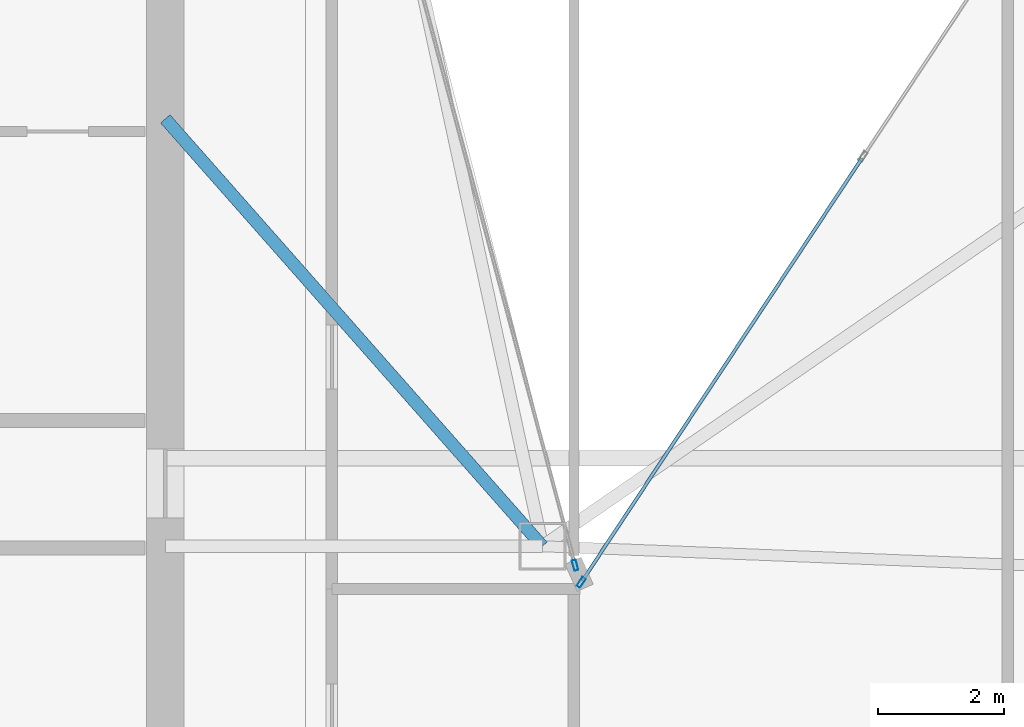
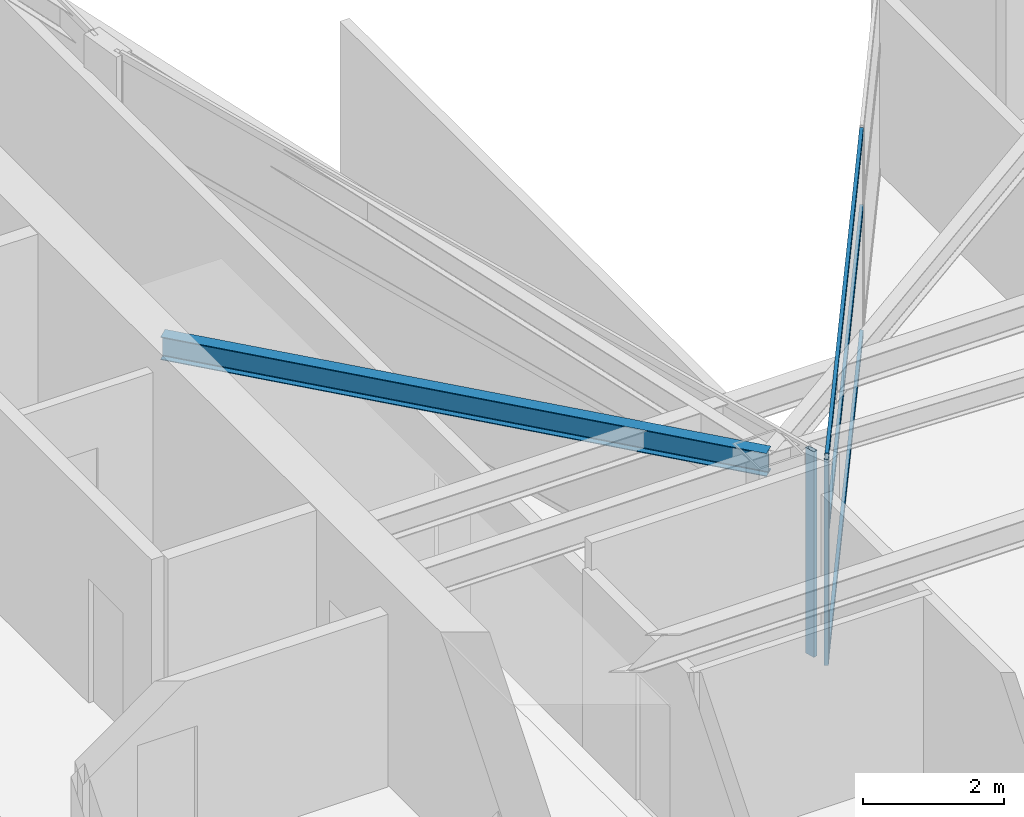
# One storey, part 11 of 28: 5 members, 1 beam, 2 elements without a shape of their own.
"""IFC4 building model written with IfcOpenShell, lengths in metres."""

import ifcopenshell
import ifcopenshell.guid

model = None  # the IFC model being written
_history = None  # IfcOwnerHistory: only IFC2X3 demands one
_inside = {}  # id of a spatial element -> (the spatial element, [elements in it])
_under = {}  # id of a project, library or spatial element -> (it, [spatial elements below it])
_declared = {}  # id of a project -> (the project, [libraries it declares])
_typed = {}  # id of a type object -> (the type object, [elements of that type])
_made_of = {}  # id of a material, layer set ... -> (it, [elements and type objects made of it])


def new_model(schema):
    """Start an empty IFC model of exactly this schema.

    Asked for "IFC4X3", IfcOpenShell would pick the latest addendum, in which some entities
    have other attributes; the version numbers below select the first issue.
    IFC2X3 requires an IfcOwnerHistory on every rooted entity: one is made here for all.
    """
    global model, _history
    if schema == "IFC4X3":
        model = ifcopenshell.file(schema_version=(4, 3, 0, 0))
    else:
        model = ifcopenshell.file(schema=schema)
    _inside.clear()
    _under.clear()
    _declared.clear()
    _typed.clear()
    _made_of.clear()
    _history = None
    if model.schema == "IFC2X3":
        org = make("IfcOrganization", Name="unknown")
        user = make(
            "IfcPersonAndOrganization",
            ThePerson=make("IfcPerson", FamilyName="unknown"),
            TheOrganization=org,
        )
        app = make(
            "IfcApplication",
            ApplicationDeveloper=org,
            Version="unknown",
            ApplicationFullName="unknown",
            ApplicationIdentifier="unknown",
        )
        _history = make(
            "IfcOwnerHistory",
            OwningUser=user,
            OwningApplication=app,
            ChangeAction="ADDED",
            CreationDate=0,
        )
    return model


def make(cls, **values):
    """One entity of the class cls with the attributes given. An attribute that is None is left unset."""
    return model.create_entity(
        cls, **{name: value for name, value in values.items() if value is not None}
    )


def rooted(cls, **values):
    """An entity with a GlobalId (a new one), such as an element, a storey or a relation."""
    return make(cls, GlobalId=ifcopenshell.guid.new(), OwnerHistory=_history, **values)


def si_unit(unit_type, name, prefix=None):
    """IfcSIUnit, for example si_unit("LENGTHUNIT", "METRE", prefix="MILLI")."""
    return make("IfcSIUnit", UnitType=unit_type, Prefix=prefix, Name=name)


def assignment(units):
    """IfcUnitAssignment: the units of a project."""
    return None if units is None else make("IfcUnitAssignment", Units=units)


def point(xyz):
    """IfcCartesianPoint."""
    return None if xyz is None else make("IfcCartesianPoint", Coordinates=xyz)


def direction(xyz):
    """IfcDirection."""
    return None if xyz is None else make("IfcDirection", DirectionRatios=xyz)


def frame(location, z_axis=None, x_axis=None):
    """IfcAxis2Placement3D, a coordinate frame: its origin and axes. An axis left out is left unset."""
    return make(
        "IfcAxis2Placement3D",
        Location=point(location),
        Axis=direction(z_axis),
        RefDirection=direction(x_axis),
    )


def frame_2d(location, x_axis=None):
    """IfcAxis2Placement2D, a coordinate frame in the plane: its origin and x axis."""
    return make(
        "IfcAxis2Placement2D", Location=point(location), RefDirection=direction(x_axis)
    )


def origin():
    """The frame at (0, 0, 0) with its axes left unset."""
    return frame((0.0, 0.0, 0.0))


def origin_2d():
    """The frame at (0, 0) in the plane with its x axis left unset."""
    return frame_2d((0.0, 0.0))


def place(relative_to, where):
    """IfcLocalPlacement: puts the frame where relative to a parent placement (None: the world)."""
    return make(
        "IfcLocalPlacement", PlacementRelTo=relative_to, RelativePlacement=where
    )


def context(
    kind, dimensions, precision=None, world=None, true_north=None, identifier=None
):
    """IfcGeometricRepresentationContext, for example the 3D "Model" context."""
    return make(
        "IfcGeometricRepresentationContext",
        ContextIdentifier=identifier,
        ContextType=kind,
        CoordinateSpaceDimension=dimensions,
        Precision=precision,
        WorldCoordinateSystem=world,
        TrueNorth=true_north,
    )


def subcontext(parent, identifier, kind, view, scale=None):
    """IfcGeometricRepresentationSubContext, for example "Body" below "Model"."""
    return make(
        "IfcGeometricRepresentationSubContext",
        ContextIdentifier=identifier,
        ContextType=kind,
        ParentContext=parent,
        TargetScale=scale,
        TargetView=view,
    )


def project(units=None, contexts=None):
    """IfcProject with its units and contexts."""
    return rooted(
        "IfcProject",
        Name="project",
        RepresentationContexts=contexts,
        UnitsInContext=assignment(units),
    )


def spatial(cls, under=None, at=None, **own):
    """A site, building, storey or space (cls), placed at a placement, below another one or the project."""
    s = rooted(cls, ObjectPlacement=at, **own)
    if under is not None:
        _under.setdefault(under.id(), (under, []))[1].append(s)
    return s


def profile(cls, at=None, kind="AREA", **sizes):
    """A parametric profile (cls). Its sizes go by their IFC names, for example OverallWidth=200.0."""
    return make(cls, ProfileType=kind, Position=at, **sizes)


def hollow_rectangle(**sizes):
    """IfcRectangleHollowProfileDef."""
    return profile("IfcRectangleHollowProfileDef", **sizes)


def i_section(**sizes):
    """IfcIShapeProfileDef."""
    return profile("IfcIShapeProfileDef", **sizes)


def extrude(swept, where, along, depth):
    """IfcExtrudedAreaSolid: the profile swept, set in the frame where, extruded along a direction by depth."""
    return make(
        "IfcExtrudedAreaSolid",
        SweptArea=swept,
        Position=where,
        ExtrudedDirection=direction(along),
        Depth=depth,
    )


def shape(context_of_items, identifier, shape_type, items):
    """IfcShapeRepresentation: the items that make up one representation, for example the "Body"."""
    return make(
        "IfcShapeRepresentation",
        ContextOfItems=context_of_items,
        RepresentationIdentifier=identifier,
        RepresentationType=shape_type,
        Items=items,
    )


def material(Name=None, Category=None):
    """IfcMaterial."""
    return make("IfcMaterial", Name=Name, Category=Category)


def layer(
    of_material, thickness, ventilated=None, Name=None, Category=None, Priority=None
):
    """IfcMaterialLayer: one layer of a wall or slab, of a material (None: an air gap)."""
    return make(
        "IfcMaterialLayer",
        Material=of_material,
        LayerThickness=thickness,
        IsVentilated=ventilated,
        Name=Name,
        Category=Category,
        Priority=Priority,
    )


def layer_set(layers, Name=None):
    """IfcMaterialLayerSet."""
    return make("IfcMaterialLayerSet", MaterialLayers=layers, LayerSetName=Name)


def material_profile(
    of_material, cross_section, Name=None, Category=None, Priority=None
):
    """IfcMaterialProfile: a cross section and its material."""
    return make(
        "IfcMaterialProfile",
        Name=Name,
        Material=of_material,
        Profile=cross_section,
        Priority=Priority,
        Category=Category,
    )


def profile_set(profiles, Name=None, composite=None):
    """IfcMaterialProfileSet."""
    return make(
        "IfcMaterialProfileSet",
        Name=Name,
        MaterialProfiles=profiles,
        CompositeProfile=composite,
    )


def made_of(thing, what):
    """Note that an element or type object is made of a material, layer set ...; save() writes the relation."""
    if what is not None:
        _made_of.setdefault(what.id(), (what, []))[1].append(thing)
    return thing


def type_object(cls, material=None, **own):
    """A type object (cls), such as IfcWallType, which elements share."""
    return made_of(rooted(cls, **own), material)


def element(
    cls,
    number,
    at=None,
    inside=None,
    cuts=None,
    type_object=None,
    material=None,
    context=None,
    identifier="Body",
    shape_type=None,
    held_by="IfcProductDefinitionShape",
    body=None,
    shapes=None,
    **own,
):
    """One element of the class cls, such as IfcWall. Its Tag is "e" and its number.

    at: its placement. inside: the storey or other place that contains it. cuts: it is an
    opening in that element (IfcRelVoidsElement). A single representation is given by context,
    identifier, shape_type and body (its items); several are given by shapes. held_by: the class
    of the entity that holds the representations. save() writes the other relations.
    """
    e = rooted(cls, Tag="e%d" % number, ObjectPlacement=at, **own)
    if body is not None:
        shapes = [shape(context, identifier, shape_type, body)]
    if shapes is not None:
        e.Representation = make(held_by, Representations=shapes)
    if inside is not None:
        _inside.setdefault(inside.id(), (inside, []))[1].append(e)
    if cuts is not None:
        rooted(
            "IfcRelVoidsElement", RelatingBuildingElement=cuts, RelatedOpeningElement=e
        )
    if type_object is not None:
        _typed.setdefault(type_object.id(), (type_object, []))[1].append(e)
    return made_of(e, material)


def aggregate(whole, parts):
    """IfcRelAggregates: a whole, such as a stair, and the parts it consists of."""
    return rooted("IfcRelAggregates", RelatingObject=whole, RelatedObjects=parts)


def save(model, path):
    """Write the relations noted so far, then the file.

    IfcRelAggregates (storeys below a building ...), IfcRelContainedInSpatialStructure (elements
    in a storey), IfcRelDefinesByType, IfcRelAssociatesMaterial and IfcRelDeclares: one each for
    every whole, place, type object, material and project.
    """
    for whole, parts in _under.values():
        aggregate(whole, parts)
    for where, things in _inside.values():
        rooted(
            "IfcRelContainedInSpatialStructure",
            RelatedElements=things,
            RelatingStructure=where,
        )
    for kind, things in _typed.values():
        rooted("IfcRelDefinesByType", RelatedObjects=things, RelatingType=kind)
    for what, things in _made_of.values():
        rooted("IfcRelAssociatesMaterial", RelatedObjects=things, RelatingMaterial=what)
    for by, libraries in _declared.values():
        rooted("IfcRelDeclares", RelatingContext=by, RelatedDefinitions=libraries)
    model.write(path)


model = new_model("IFC4")

# Units and contexts
model_context = context("Model", 3, precision=1e-05, world=origin(), true_north=direction((0.0, 1.0)))
body_context = subcontext(model_context, "Body", "Model", "MODEL_VIEW")
ifc_project = project(units=[si_unit("LENGTHUNIT", "METRE"), si_unit("AREAUNIT", "SQUARE_METRE"), si_unit("VOLUMEUNIT", "CUBIC_METRE"), si_unit("PLANEANGLEUNIT", "RADIAN"), si_unit("MASSUNIT", "GRAM", prefix="KILO")], contexts=[model_context])

# Site, building, storey
site_placement = place(None, origin())
site = spatial("IfcSite", under=ifc_project, at=site_placement, CompositionType="ELEMENT")
building_placement = place(site_placement, origin())
building = spatial("IfcBuilding", under=site, at=building_placement, Name="Calvorn Quay Hotel", CompositionType="ELEMENT")
storey_placement = place(building_placement, frame((0.0, 0.0, 274.89990234375)))
storey = spatial("IfcBuildingStorey", under=building, at=storey_placement, Name="L68", CompositionType="ELEMENT", Elevation=274.89990234375)

# Beam
ifc_material_1 = material(Name="Steel Q355B", Category="steel")
ifc_material_profile_1 = material_profile(ifc_material_1, i_section(OverallWidth=0.199951171875, OverallDepth=0.39990234375, WebThickness=0.008056640625, FlangeThickness=0.012939453125, FilletRadius=0.01611328125, at=origin_2d()), Name="HN400x200x8x13")
ifc_profile_set_1 = profile_set([ifc_material_profile_1], Name="Steel Q355B")
beam_type = type_object("IfcBeamType", Name="BM-JOIST-TYP", PredefinedType="JOIST", material=ifc_profile_set_1)
beam_placement = place(storey_placement, frame((15.0, 31.800048828125, 3.340087890625), z_axis=(0.661618965899, -0.749840212287, 0.0), x_axis=(0.749840212287, 0.661618965899, 0.0)))
element("IfcBeam", 1, at=beam_placement, inside=storey, type_object=beam_type, Name="Beam BJ-L68-C1", PredefinedType="JOIST", context=body_context, shape_type="SweptSolid", body=[
    extrude(i_section(OverallWidth=0.199951171875, OverallDepth=0.39990234375, WebThickness=0.008056640625, FlangeThickness=0.012939453125, FilletRadius=0.01611328125, at=origin_2d()), origin(), (0.0, 0.0, 1.0), 9.068603515625),
])

# Curtain wall, member
ifc_material_2 = material(Name="Champagne Bronze Anodised Aluminium and Low-E Glass", Category="aluminium")
ifc_layer = layer(ifc_material_2, 0.219970703125)
ifc_layer_set = layer_set([ifc_layer], Name="CW-SYS-Z4")
curtain_wall_type = type_object("IfcCurtainWallType", Name="CW-SYS-Z4", PredefinedType="NOTDEFINED", material=ifc_layer_set)
curtain_wall_1_placement = place(storey_placement, origin())
curtain_wall_1 = element("IfcCurtainWall", 2, at=curtain_wall_1_placement, inside=storey, type_object=curtain_wall_type, Name="Inner Court Curtain Wall L68-NE1", PredefinedType="NOTDEFINED")
ifc_material_3 = material(Name="Champagne Bronze Anodised Aluminium 6063-T6", Category="aluminium")
ifc_material_profile_2 = material_profile(ifc_material_3, hollow_rectangle(XDim=0.06494140625, YDim=0.169921875, WallThickness=0.00341796875, at=origin_2d()), Name="ALU-M170x65x3.5")
ifc_profile_set_2 = profile_set([ifc_material_profile_2], Name="Champagne Bronze Anodised Aluminium 6063-T6")
member_type_1 = type_object("IfcMemberType", Name="CW-SYS-Z4-MUL", PredefinedType="MULLION", material=ifc_profile_set_2)
member_1_placement = place(storey_placement, frame((21.616455078125, 24.425048828125, 0.0), z_axis=(0.0, 0.0, 1.0), x_axis=(0.833932205724, -0.551866900852, 0.0)))
member_1 = element("IfcMember", 3, at=member_1_placement, type_object=member_type_1, Name="CW-L68-NE1 mullion 3", PredefinedType="MULLION", context=body_context, shape_type="SweptSolid", body=[
    extrude(hollow_rectangle(XDim=0.06494140625, YDim=0.169921875, WallThickness=0.00341796875, at=origin_2d()), origin(), (0.0, 0.0, 1.0), 3.56005859375),
])

curtain_wall_2_placement = place(storey_placement, origin())
curtain_wall_2 = element("IfcCurtainWall", 4, at=curtain_wall_2_placement, inside=storey, type_object=curtain_wall_type, Name="Inner Court Curtain Wall L68-IC1", PredefinedType="NOTDEFINED")
member_2_placement = place(storey_placement, frame((21.520263671875, 24.698974609375, 0.0), z_axis=(0.0, 0.0, 1.0), x_axis=(-0.96593652056, -0.25877913024, 0.0)))
member_2 = element("IfcMember", 5, at=member_2_placement, type_object=member_type_1, Name="CW-L68-IC1 mullion 1", PredefinedType="MULLION", context=body_context, shape_type="SweptSolid", body=[
    extrude(hollow_rectangle(XDim=0.06494140625, YDim=0.169921875, WallThickness=0.00341796875, at=origin_2d()), origin(), (0.0, 0.0, 1.0), 3.56005859375),
])
aggregate(curtain_wall_2, [member_2])

# Member
ifc_material_4 = material(Name="Champagne Bronze Anodised Aluminium 6063-T6", Category="aluminium")
ifc_material_profile_3 = material_profile(ifc_material_4, hollow_rectangle(XDim=0.054931640625, YDim=0.1298828125, WallThickness=0.003173828125, at=origin_2d()), Name="ALU-T130x55x3.2")
ifc_profile_set_3 = profile_set([ifc_material_profile_3], Name="Champagne Bronze Anodised Aluminium 6063-T6")
member_type_2 = type_object("IfcMemberType", Name="CW-SYS-Z4-TRN", PredefinedType="USERDEFINED", material=ifc_profile_set_3)
member_3_placement = place(storey_placement, frame((26.08349609375, 31.175048828125, 0.030029296875), z_axis=(-0.551867520082, -0.833931795939, 0.0), x_axis=(0.833931795939, -0.551867520082, 0.0)))
member_3 = element("IfcMember", 6, at=member_3_placement, type_object=member_type_2, Name="CW-L68-NE1 transom 2.1", ObjectType="TRANSOM", PredefinedType="USERDEFINED", context=body_context, shape_type="SweptSolid", body=[
    extrude(hollow_rectangle(XDim=0.054931640625, YDim=0.1298828125, WallThickness=0.003173828125, at=origin_2d()), origin(), (0.0, 0.0, 1.0), 8.064208984375),
])

member_4_placement = place(storey_placement, frame((26.08349609375, 31.175048828125, 2.2001953125), z_axis=(-0.551867520082, -0.833931795939, 0.0), x_axis=(0.833931795939, -0.551867520082, 0.0)))
member_4 = element("IfcMember", 7, at=member_4_placement, type_object=member_type_2, Name="CW-L68-NE1 transom 2.2", ObjectType="TRANSOM", PredefinedType="USERDEFINED", context=body_context, shape_type="SweptSolid", body=[
    extrude(hollow_rectangle(XDim=0.054931640625, YDim=0.1298828125, WallThickness=0.003173828125, at=origin_2d()), origin(), (0.0, 0.0, 1.0), 8.064208984375),
])

member_5_placement = place(storey_placement, frame((26.08349609375, 31.175048828125, 3.530029296875), z_axis=(-0.551867520082, -0.833931795939, 0.0), x_axis=(0.833931795939, -0.551867520082, 0.0)))
member_5 = element("IfcMember", 8, at=member_5_placement, type_object=member_type_2, Name="CW-L68-NE1 transom 2.3", ObjectType="TRANSOM", PredefinedType="USERDEFINED", context=body_context, shape_type="SweptSolid", body=[
    extrude(hollow_rectangle(XDim=0.054931640625, YDim=0.1298828125, WallThickness=0.003173828125, at=origin_2d()), origin(), (0.0, 0.0, 1.0), 8.064208984375),
])

aggregate(curtain_wall_1, [member_1, member_3, member_4, member_5])

save(model, "model.ifc")
